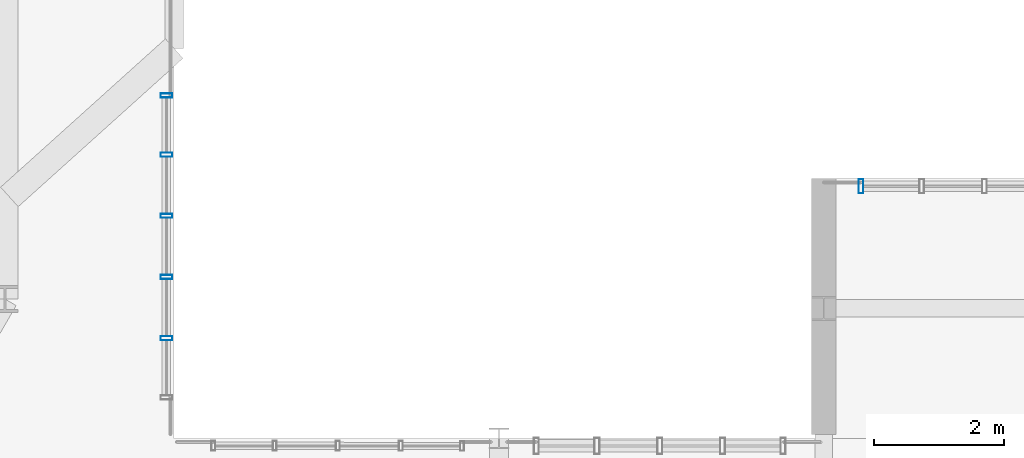
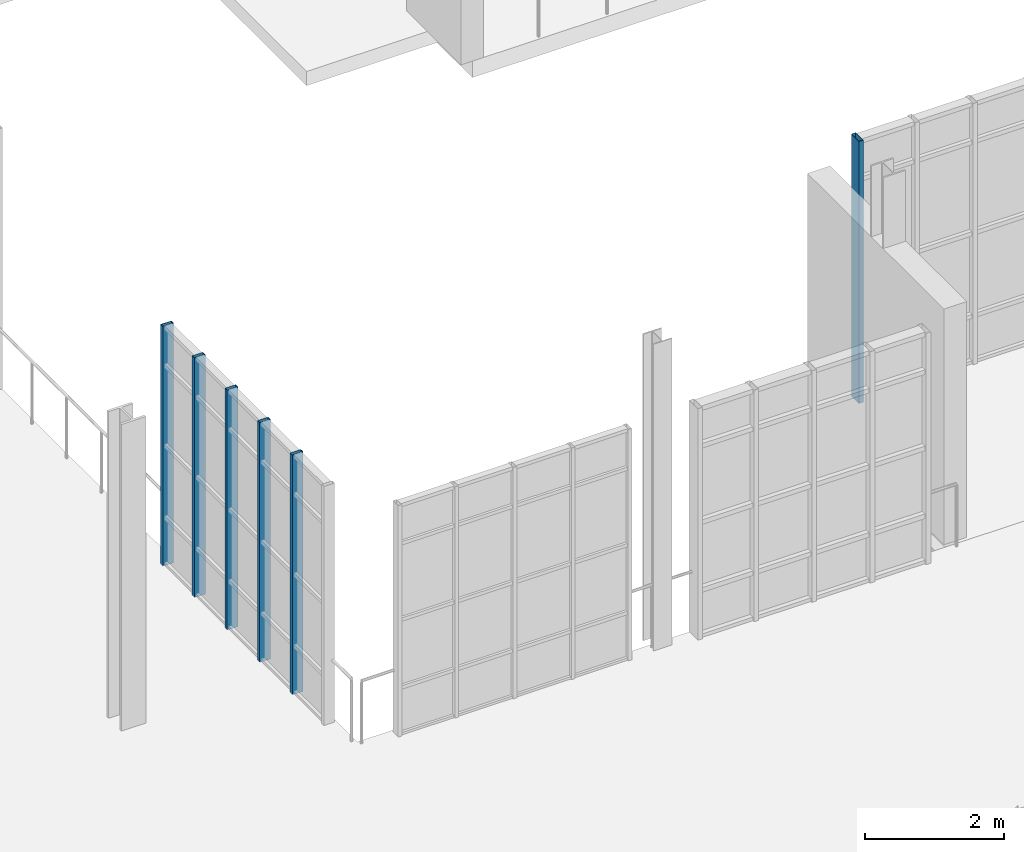
# One storey, part 55 of 189: 6 members, 2 elements without a shape of their own.
"""IFC4 building model written with IfcOpenShell, lengths in metres."""

from ifc_helpers import new_model, si_unit, direction, frame, origin, origin_2d, place, context, subcontext, project, spatial, hollow_rectangle, extrude, material, layer, layer_set, material_profile, profile_set, type_object, element, aggregate, save


model = new_model("IFC4")

# Units and contexts
model_context = context("Model", 3, precision=1e-05, world=origin(), true_north=direction((0.0, 1.0)))
body_context = subcontext(model_context, "Body", "Model", "MODEL_VIEW")
ifc_project = project(units=[si_unit("LENGTHUNIT", "METRE"), si_unit("AREAUNIT", "SQUARE_METRE"), si_unit("VOLUMEUNIT", "CUBIC_METRE"), si_unit("PLANEANGLEUNIT", "RADIAN"), si_unit("MASSUNIT", "GRAM", prefix="KILO"), si_unit("THERMODYNAMICTEMPERATUREUNIT", "KELVIN"), si_unit("POWERUNIT", "WATT")], contexts=[model_context])

# Site, building, storey
site_placement = place(None, origin())
site = spatial("IfcSite", under=ifc_project, at=site_placement, CompositionType="ELEMENT")
building_placement = place(site_placement, origin())
building = spatial("IfcBuilding", under=site, at=building_placement, Name="Zelmaris Science Centre", CompositionType="ELEMENT")
storey_placement = place(building_placement, origin())
storey = spatial("IfcBuildingStorey", under=building, at=storey_placement, Name="L00", CompositionType="ELEMENT", Elevation=0.0)

# Curtain wall, members
ifc_material = material(Name="Anodised architectural aluminium 6063-T6", Category="aluminium")
ifc_layer_1 = layer(ifc_material, 0.2099609375, Name="Anodised architectural aluminium 6063-T6")
ifc_layer_set_1 = layer_set([ifc_layer_1], Name="Anodised architectural aluminium 6063-T6")
curtain_wall_type_1 = type_object("IfcCurtainWallType", Name="Curtain Wall CW-03", PredefinedType="USERDEFINED", material=ifc_layer_set_1)
curtain_wall_1_placement = place(storey_placement, origin())
curtain_wall_1 = element("IfcCurtainWall", 1, at=curtain_wall_1_placement, inside=storey, type_object=curtain_wall_type_1, Name="L00 Unitised curtain wall 63", ObjectType="GLAZED CURTAIN WALL", PredefinedType="USERDEFINED")
ifc_material_profile_1 = material_profile(ifc_material, hollow_rectangle(XDim=0.06494140625, YDim=0.179931640625, WallThickness=0.00390625, at=origin_2d()), Name="ALU-MUL-65X180")
ifc_profile_set_1 = profile_set([ifc_material_profile_1], Name="Anodised architectural aluminium 6063-T6")
member_type_1 = type_object("IfcMemberType", Name="ALU-MUL-65X180", PredefinedType="MULLION", material=ifc_profile_set_1)
member_1_placement = place(storey_placement, frame((97.8798828125, 35.2783203125, -0.014892578125), z_axis=(0.0, 0.0, 1.0), x_axis=(5.235988e-06, -0.999999999986, 0.0)))
member_1 = element("IfcMember", 2, at=member_1_placement, type_object=member_type_1, Name="CW-03 mullion 1", PredefinedType="MULLION", context=body_context, shape_type="SweptSolid", body=[
    extrude(hollow_rectangle(XDim=0.06494140625, YDim=0.179931640625, WallThickness=0.00390625, at=origin_2d()), origin(), (0.0, 0.0, 1.0), 4.223876953125),
])
member_2_placement = place(storey_placement, frame((97.8798828125, 34.365478515625, -0.014892578125), z_axis=(0.0, 0.0, 1.0), x_axis=(5.235988e-06, -0.999999999986, 0.0)))
member_2 = element("IfcMember", 3, at=member_2_placement, type_object=member_type_1, Name="CW-03 mullion 2", PredefinedType="MULLION", context=body_context, shape_type="SweptSolid", body=[
    extrude(hollow_rectangle(XDim=0.06494140625, YDim=0.179931640625, WallThickness=0.00390625, at=origin_2d()), origin(), (0.0, 0.0, 1.0), 4.223876953125),
])
member_3_placement = place(storey_placement, frame((97.8798828125, 33.424072265625, -0.014892578125), z_axis=(0.0, 0.0, 1.0), x_axis=(5.235988e-06, -0.999999999986, 0.0)))
member_3 = element("IfcMember", 4, at=member_3_placement, type_object=member_type_1, Name="CW-03 mullion 3", PredefinedType="MULLION", context=body_context, shape_type="SweptSolid", body=[
    extrude(hollow_rectangle(XDim=0.06494140625, YDim=0.179931640625, WallThickness=0.00390625, at=origin_2d()), origin(), (0.0, 0.0, 1.0), 4.223876953125),
])
member_4_placement = place(storey_placement, frame((97.8798828125, 32.482666015625, -0.014892578125), z_axis=(0.0, 0.0, 1.0), x_axis=(5.235988e-06, -0.999999999986, 0.0)))
member_4 = element("IfcMember", 5, at=member_4_placement, type_object=member_type_1, Name="CW-03 mullion 4", PredefinedType="MULLION", context=body_context, shape_type="SweptSolid", body=[
    extrude(hollow_rectangle(XDim=0.06494140625, YDim=0.179931640625, WallThickness=0.00390625, at=origin_2d()), origin(), (0.0, 0.0, 1.0), 4.223876953125),
])
member_5_placement = place(storey_placement, frame((97.8798828125, 31.541259765625, -0.014892578125), z_axis=(0.0, 0.0, 1.0), x_axis=(5.235988e-06, -0.999999999986, 0.0)))
member_5 = element("IfcMember", 6, at=member_5_placement, type_object=member_type_1, Name="CW-03 mullion 5", PredefinedType="MULLION", context=body_context, shape_type="SweptSolid", body=[
    extrude(hollow_rectangle(XDim=0.06494140625, YDim=0.179931640625, WallThickness=0.00390625, at=origin_2d()), origin(), (0.0, 0.0, 1.0), 4.223876953125),
])
aggregate(curtain_wall_1, [member_1, member_2, member_3, member_4, member_5])

# Curtain wall, member
ifc_layer_2 = layer(ifc_material, 0.199951171875, Name="Anodised architectural aluminium 6063-T6")
ifc_layer_set_2 = layer_set([ifc_layer_2], Name="Anodised architectural aluminium 6063-T6")
curtain_wall_type_2 = type_object("IfcCurtainWallType", Name="Curtain Wall CW-02", PredefinedType="USERDEFINED", material=ifc_layer_set_2)
curtain_wall_2_placement = place(storey_placement, origin())
curtain_wall_2 = element("IfcCurtainWall", 7, at=curtain_wall_2_placement, inside=storey, type_object=curtain_wall_type_2, Name="L00 Unitised curtain wall 66", ObjectType="GLAZED CURTAIN WALL", PredefinedType="USERDEFINED")
ifc_material_profile_2 = material_profile(ifc_material, hollow_rectangle(XDim=0.074951171875, YDim=0.219970703125, WallThickness=0.0048828125, at=origin_2d()), Name="ALU-MUL-75X220")
ifc_profile_set_2 = profile_set([ifc_material_profile_2], Name="Anodised architectural aluminium 6063-T6")
member_type_2 = type_object("IfcMemberType", Name="ALU-MUL-75X220", PredefinedType="MULLION", material=ifc_profile_set_2)
member_6_placement = place(storey_placement, frame((108.573486328125, 33.8798828125, -0.014892578125), z_axis=(0.0, 0.0, 1.0), x_axis=(0.999999999976, 6.981317e-06, 0.0)))
member_6 = element("IfcMember", 8, at=member_6_placement, type_object=member_type_2, Name="CW-02 mullion 1", PredefinedType="MULLION", context=body_context, shape_type="SweptSolid", body=[
    extrude(hollow_rectangle(XDim=0.074951171875, YDim=0.219970703125, WallThickness=0.0048828125, at=origin_2d()), origin(), (0.0, 0.0, 1.0), 4.614990234375),
])
aggregate(curtain_wall_2, [member_6])

save(model, "model.ifc")
